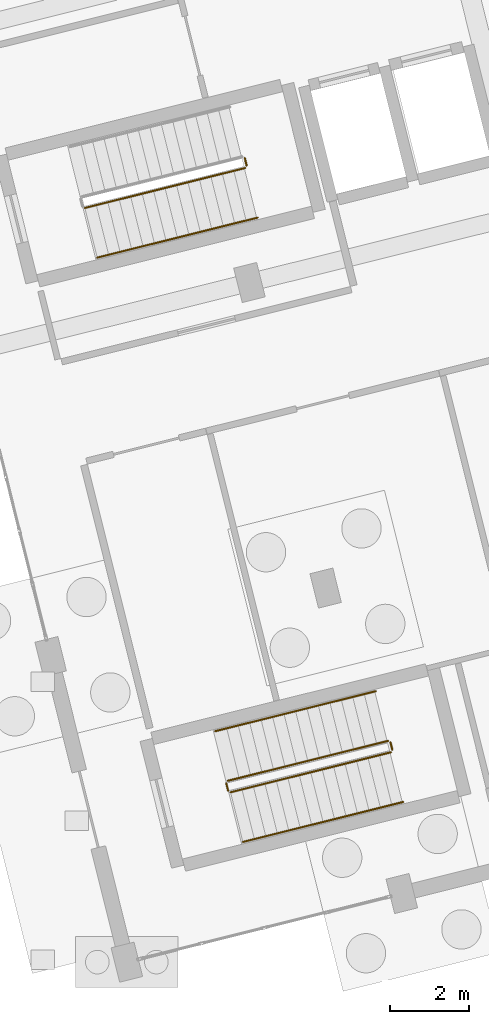
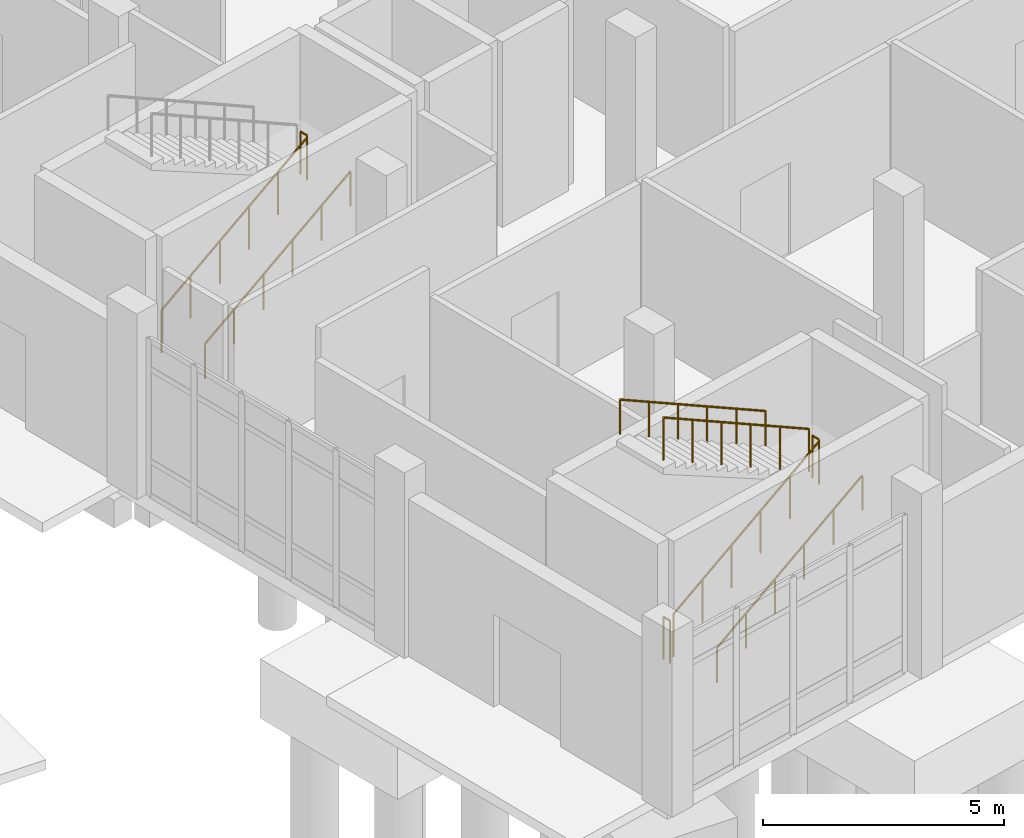
# One storey, part 171 of 173: 9 railings.
"""IFC4 building model written with IfcOpenShell, lengths in metres."""

from ifc_helpers import new_model, si_unit, direction, frame, origin, origin_2d, place, context, subcontext, project, spatial, circle, extrude, material, type_object, element, save


model = new_model("IFC4")

# Units and contexts
model_context = context("Model", 3, precision=1e-05, world=origin(), true_north=direction((0.0, 1.0)))
body_context = subcontext(model_context, "Body", "Model", "MODEL_VIEW")
ifc_project = project(units=[si_unit("LENGTHUNIT", "METRE"), si_unit("AREAUNIT", "SQUARE_METRE"), si_unit("VOLUMEUNIT", "CUBIC_METRE"), si_unit("PLANEANGLEUNIT", "RADIAN"), si_unit("MASSUNIT", "GRAM", prefix="KILO")], contexts=[model_context])

# Site, building, storey
site_placement = place(None, origin())
site = spatial("IfcSite", under=ifc_project, at=site_placement, CompositionType="ELEMENT")
building_placement = place(site_placement, origin())
building = spatial("IfcBuilding", under=site, at=building_placement, Name="Mawjan Specialist Oncology Clinic", CompositionType="ELEMENT")
storey_placement = place(building_placement, origin())
storey = spatial("IfcBuildingStorey", under=building, at=storey_placement, Name="L00", CompositionType="ELEMENT", Elevation=0.0)

# Railings
ifc_material_1 = material(Name="Powder-coated steel stair guard with vertical infill pickets", Category="steel")
railing_type_1 = type_object("IfcRailingType", Name="GR-110", PredefinedType="GUARDRAIL", material=ifc_material_1)
railing_1_placement = place(storey_placement, frame((124.932861328125, 19.9609375, 0.166748046875)))
element("IfcRailing", 1, at=railing_1_placement, inside=storey, type_object=railing_type_1, Name="L00 ST-05 stair guard 1", PredefinedType="GUARDRAIL", context=body_context, shape_type="SweptSolid", body=[
    extrude(circle(Radius=0.02392578125, at=origin_2d()), frame((0.0, 0.0, 1.076171875), z_axis=(0.848193774147, 0.211489485262, 0.485633111641), x_axis=(-0.241933770084, 0.970292765557, 0.0)), (0.0, 0.0, 1.0), 4.804443359375),
    extrude(circle(Radius=0.02099609375, at=origin_2d()), origin(), (0.0, 0.0, 1.0), 1.052001953125),
    extrude(circle(Radius=0.02099609375, at=origin_2d()), frame((0.81494140625, 0.203125, 0.466552734375)), (0.0, 0.0, 1.0), 1.052001953125),
    extrude(circle(Radius=0.02099609375, at=origin_2d()), frame((1.630126953125, 0.406494140625, 0.933349609375)), (0.0, 0.0, 1.0), 1.052001953125),
    extrude(circle(Radius=0.02099609375, at=origin_2d()), frame((2.445068359375, 0.609619140625, 1.39990234375)), (0.0, 0.0, 1.0), 1.052001953125),
    extrude(circle(Radius=0.02099609375, at=origin_2d()), frame((3.26025390625, 0.81298828125, 1.86669921875)), (0.0, 0.0, 1.0), 1.052001953125),
    extrude(circle(Radius=0.02099609375, at=origin_2d()), frame((4.0751953125, 1.01611328125, 2.333251953125)), (0.0, 0.0, 1.0), 1.052001953125),
])
railing_2_placement = place(storey_placement, frame((129.04443359375, 21.03759765625, 2.5)))
element("IfcRailing", 2, at=railing_2_placement, inside=storey, type_object=railing_type_1, Name="L00 ST-05 stair guard 2", PredefinedType="GUARDRAIL", context=body_context, shape_type="SweptSolid", body=[
    extrude(circle(Radius=0.02392578125, at=origin_2d()), frame((0.0, 0.0, 1.076171875), z_axis=(-0.241673946692, 0.970357513234, 0.0), x_axis=(-0.970357513234, -0.241673946692, 0.0)), (0.0, 0.0, 1.0), 0.199951171875),
    extrude(circle(Radius=0.02099609375, at=origin_2d()), origin(), (0.0, 0.0, 1.0), 1.052001953125),
    extrude(circle(Radius=0.02099609375, at=origin_2d()), frame((-0.04833984375, 0.194091796875, 0.0)), (0.0, 0.0, 1.0), 1.052001953125),
])
railing_3_placement = place(storey_placement, frame((128.63427734375, 5.115478515625, 0.166748046875)))
element("IfcRailing", 3, at=railing_3_placement, inside=storey, type_object=railing_type_1, Name="L00 ST-06 stair guard 1", PredefinedType="GUARDRAIL", context=body_context, shape_type="SweptSolid", body=[
    extrude(circle(Radius=0.02392578125, at=origin_2d()), frame((0.0, 0.0, 1.076171875), z_axis=(0.848193774147, 0.211489485262, 0.485633111641), x_axis=(-0.241933770084, 0.970292765557, 0.0)), (0.0, 0.0, 1.0), 4.804443359375),
    extrude(circle(Radius=0.02099609375, at=origin_2d()), origin(), (0.0, 0.0, 1.0), 1.052001953125),
    extrude(circle(Radius=0.02099609375, at=origin_2d()), frame((0.81494140625, 0.203125, 0.466552734375)), (0.0, 0.0, 1.0), 1.052001953125),
    extrude(circle(Radius=0.02099609375, at=origin_2d()), frame((1.630126953125, 0.406494140625, 0.933349609375)), (0.0, 0.0, 1.0), 1.052001953125),
    extrude(circle(Radius=0.02099609375, at=origin_2d()), frame((2.445068359375, 0.609619140625, 1.39990234375)), (0.0, 0.0, 1.0), 1.052001953125),
    extrude(circle(Radius=0.02099609375, at=origin_2d()), frame((3.26025390625, 0.81298828125, 1.86669921875)), (0.0, 0.0, 1.0), 1.052001953125),
    extrude(circle(Radius=0.02099609375, at=origin_2d()), frame((4.0751953125, 1.01611328125, 2.333251953125)), (0.0, 0.0, 1.0), 1.052001953125),
])
railing_4_placement = place(storey_placement, frame((132.745849609375, 6.192138671875, 2.5)))
element("IfcRailing", 4, at=railing_4_placement, inside=storey, type_object=railing_type_1, Name="L00 ST-06 stair guard 2", PredefinedType="GUARDRAIL", context=body_context, shape_type="SweptSolid", body=[
    extrude(circle(Radius=0.02392578125, at=origin_2d()), frame((0.0, 0.0, 1.076171875), z_axis=(-0.241673946692, 0.970357513234, 0.0), x_axis=(-0.970357513234, -0.241673946692, 0.0)), (0.0, 0.0, 1.0), 0.199951171875),
    extrude(circle(Radius=0.02099609375, at=origin_2d()), origin(), (0.0, 0.0, 1.0), 1.052001953125),
    extrude(circle(Radius=0.02099609375, at=origin_2d()), frame((-0.04833984375, 0.194091796875, 0.0)), (0.0, 0.0, 1.0), 1.052001953125),
])
railing_5_placement = place(storey_placement, frame((132.636962890625, 6.422607421875, 2.666748046875)))
element("IfcRailing", 5, at=railing_5_placement, inside=storey, type_object=railing_type_1, Name="L00 ST-06 stair guard 3", PredefinedType="GUARDRAIL", context=body_context, shape_type="SweptSolid", body=[
    extrude(circle(Radius=0.02392578125, at=origin_2d()), frame((0.0, 0.0, 1.076171875), z_axis=(-0.848193774147, -0.211489485262, 0.485633111641), x_axis=(0.241933770084, -0.970292765557, 0.0)), (0.0, 0.0, 1.0), 4.804443359375),
    extrude(circle(Radius=0.02099609375, at=origin_2d()), origin(), (0.0, 0.0, 1.0), 1.052001953125),
    extrude(circle(Radius=0.02099609375, at=origin_2d()), frame((-0.81494140625, -0.203125, 0.466552734375)), (0.0, 0.0, 1.0), 1.052001953125),
    extrude(circle(Radius=0.02099609375, at=origin_2d()), frame((-1.630126953125, -0.406494140625, 0.933349609375)), (0.0, 0.0, 1.0), 1.052001953125),
    extrude(circle(Radius=0.02099609375, at=origin_2d()), frame((-2.445068359375, -0.609619140625, 1.39990234375)), (0.0, 0.0, 1.0), 1.052001953125),
    extrude(circle(Radius=0.02099609375, at=origin_2d()), frame((-3.26025390625, -0.81298828125, 1.86669921875)), (0.0, 0.0, 1.0), 1.052001953125),
    extrude(circle(Radius=0.02099609375, at=origin_2d()), frame((-4.0751953125, -1.01611328125, 2.333251953125)), (0.0, 0.0, 1.0), 1.052001953125),
])
railing_6_placement = place(storey_placement, frame((128.57373046875, 5.15185546875, 0.0)))
element("IfcRailing", 6, at=railing_6_placement, inside=storey, type_object=railing_type_1, Name="L00 ST-06 stair guard 4", PredefinedType="GUARDRAIL", context=body_context, shape_type="SweptSolid", body=[
    extrude(circle(Radius=0.02392578125, at=origin_2d()), frame((0.0, 0.0, 1.076171875), z_axis=(-0.242822723755, 0.970070680326, 0.0), x_axis=(-0.970070680326, -0.242822723755, 0.0)), (0.0, 0.0, 1.0), 0.2001953125),
    extrude(circle(Radius=0.02099609375, at=origin_2d()), origin(), (0.0, 0.0, 1.0), 1.052001953125),
    extrude(circle(Radius=0.02099609375, at=origin_2d()), frame((-0.048583984375, 0.194091796875, 0.0)), (0.0, 0.0, 1.0), 1.052001953125),
])
ifc_material_2 = material(Name="Brushed stainless-steel tubular handrail", Category="steel")
railing_type_2 = type_object("IfcRailingType", Name="HR-090", PredefinedType="HANDRAIL", material=ifc_material_2)
railing_7_placement = place(storey_placement, frame((125.247314453125, 18.69970703125, 0.166748046875)))
element("IfcRailing", 7, at=railing_7_placement, inside=storey, type_object=railing_type_2, Name="L00 ST-05 stair handrail 1", PredefinedType="HANDRAIL", context=body_context, shape_type="SweptSolid", body=[
    extrude(circle(Radius=0.02392578125, at=origin_2d()), frame((0.0, 0.0, 0.8759765625), z_axis=(0.84820288849, 0.211440942907, 0.485638330056), x_axis=(-0.241879042136, 0.970306409839, 0.0)), (0.0, 0.0, 1.0), 4.804443359375),
    extrude(circle(Radius=0.02099609375, at=origin_2d()), origin(), (0.0, 0.0, 1.0), 0.851806640625),
    extrude(circle(Radius=0.02099609375, at=origin_2d()), frame((0.81494140625, 0.203125, 0.466552734375)), (0.0, 0.0, 1.0), 0.851806640625),
    extrude(circle(Radius=0.02099609375, at=origin_2d()), frame((1.630126953125, 0.40625, 0.933349609375)), (0.0, 0.0, 1.0), 0.851806640625),
    extrude(circle(Radius=0.02099609375, at=origin_2d()), frame((2.445068359375, 0.609619140625, 1.39990234375)), (0.0, 0.0, 1.0), 0.851806640625),
    extrude(circle(Radius=0.02099609375, at=origin_2d()), frame((3.26025390625, 0.812744140625, 1.86669921875)), (0.0, 0.0, 1.0), 0.851806640625),
    extrude(circle(Radius=0.02099609375, at=origin_2d()), frame((4.0751953125, 1.015869140625, 2.333251953125)), (0.0, 0.0, 1.0), 0.851806640625),
])
railing_8_placement = place(storey_placement, frame((128.94873046875, 3.85400390625, 0.166748046875)))
element("IfcRailing", 8, at=railing_8_placement, inside=storey, type_object=railing_type_2, Name="L00 ST-06 stair handrail 1", PredefinedType="HANDRAIL", context=body_context, shape_type="SweptSolid", body=[
    extrude(circle(Radius=0.02392578125, at=origin_2d()), frame((0.0, 0.0, 0.8759765625), z_axis=(0.848193774147, 0.211489485262, 0.485633111641), x_axis=(-0.241933770084, 0.970292765557, 0.0)), (0.0, 0.0, 1.0), 4.804443359375),
    extrude(circle(Radius=0.02099609375, at=origin_2d()), origin(), (0.0, 0.0, 1.0), 0.851806640625),
    extrude(circle(Radius=0.02099609375, at=origin_2d()), frame((0.81494140625, 0.203125, 0.466552734375)), (0.0, 0.0, 1.0), 0.851806640625),
    extrude(circle(Radius=0.02099609375, at=origin_2d()), frame((1.630126953125, 0.406494140625, 0.933349609375)), (0.0, 0.0, 1.0), 0.851806640625),
    extrude(circle(Radius=0.02099609375, at=origin_2d()), frame((2.445068359375, 0.609619140625, 1.39990234375)), (0.0, 0.0, 1.0), 0.851806640625),
    extrude(circle(Radius=0.02099609375, at=origin_2d()), frame((3.26025390625, 0.81298828125, 1.86669921875)), (0.0, 0.0, 1.0), 0.851806640625),
    extrude(circle(Radius=0.02099609375, at=origin_2d()), frame((4.0751953125, 1.01611328125, 2.333251953125)), (0.0, 0.0, 1.0), 0.851806640625),
])
railing_9_placement = place(storey_placement, frame((132.322509765625, 7.68408203125, 2.666748046875)))
element("IfcRailing", 9, at=railing_9_placement, inside=storey, type_object=railing_type_2, Name="L00 ST-06 stair handrail 2", PredefinedType="HANDRAIL", context=body_context, shape_type="SweptSolid", body=[
    extrude(circle(Radius=0.02392578125, at=origin_2d()), frame((0.0, 0.0, 0.8759765625), z_axis=(-0.848208030082, -0.211480370287, 0.485612181363), x_axis=(0.241920125197, -0.970296167685, 0.0)), (0.0, 0.0, 1.0), 4.8046875),
    extrude(circle(Radius=0.02099609375, at=origin_2d()), origin(), (0.0, 0.0, 1.0), 0.851806640625),
    extrude(circle(Radius=0.02099609375, at=origin_2d()), frame((-0.815185546875, -0.203125, 0.466552734375)), (0.0, 0.0, 1.0), 0.851806640625),
    extrude(circle(Radius=0.02099609375, at=origin_2d()), frame((-1.630126953125, -0.406494140625, 0.933349609375)), (0.0, 0.0, 1.0), 0.851806640625),
    extrude(circle(Radius=0.02099609375, at=origin_2d()), frame((-2.4453125, -0.609619140625, 1.39990234375)), (0.0, 0.0, 1.0), 0.851806640625),
    extrude(circle(Radius=0.02099609375, at=origin_2d()), frame((-3.26025390625, -0.81298828125, 1.86669921875)), (0.0, 0.0, 1.0), 0.851806640625),
    extrude(circle(Radius=0.02099609375, at=origin_2d()), frame((-4.075439453125, -1.01611328125, 2.333251953125)), (0.0, 0.0, 1.0), 0.851806640625),
])

save(model, "model.ifc")
